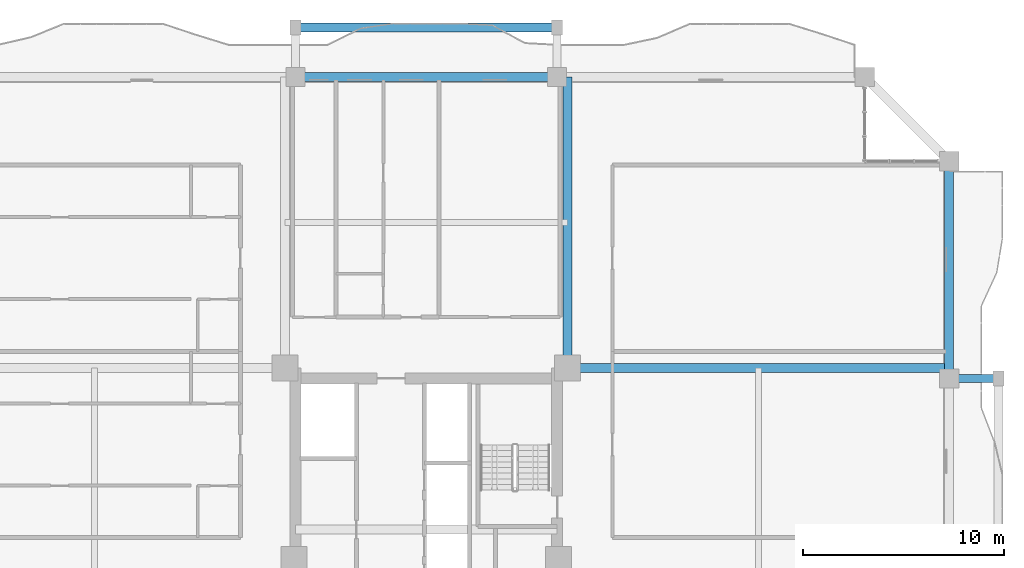
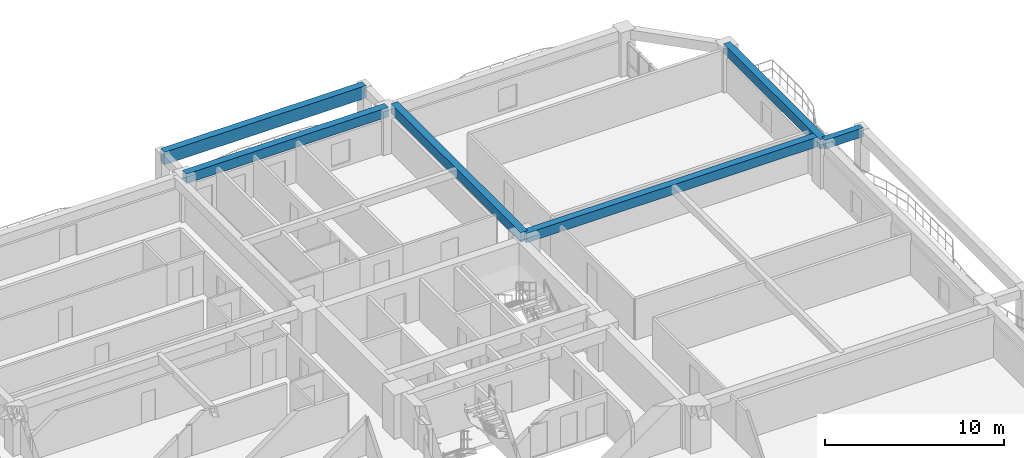
# One storey, part 9 of 22: 6 beams.
"""IFC4 building model written with IfcOpenShell, lengths in metres."""

from ifc_helpers import new_model, si_unit, direction, frame, origin, origin_2d, place, context, subcontext, project, spatial, rectangle, extrude, source, transform, mapped, material, material_profile, profile_set, type_object, element, save


model = new_model("IFC4")

# Units and contexts
model_context = context("Model", 3, precision=1e-05, world=origin(), true_north=direction((0.0, 1.0)))
body_context = subcontext(model_context, "Body", "Model", "MODEL_VIEW")
ifc_project = project(units=[si_unit("LENGTHUNIT", "METRE"), si_unit("AREAUNIT", "SQUARE_METRE"), si_unit("VOLUMEUNIT", "CUBIC_METRE"), si_unit("PLANEANGLEUNIT", "RADIAN"), si_unit("MASSUNIT", "GRAM", prefix="KILO")], contexts=[model_context])

# Site, building, storey
site_placement = place(None, origin())
site = spatial("IfcSite", under=ifc_project, at=site_placement, CompositionType="ELEMENT")
building_placement = place(site_placement, origin())
building = spatial("IfcBuilding", under=site, at=building_placement, Name="Saelheon Loggia Tower", CompositionType="ELEMENT")
storey_placement = place(building_placement, frame((0.0, 0.0, 135.75)))
storey = spatial("IfcBuildingStorey", under=building, at=storey_placement, Name="L43", CompositionType="ELEMENT", Elevation=135.75)

# Beams
ifc_material_1 = material(Name="Precast Concrete C45/55", Category="concrete")
ifc_material_profile_1 = material_profile(ifc_material_1, rectangle(XDim=0.449951171875, YDim=0.85009765625, at=origin_2d()), Name="RC-450x850")
ifc_profile_set_1 = profile_set([ifc_material_profile_1], Name="Precast Concrete C45/55")
beam_type_1 = type_object("IfcBeamType", Name="Beam_LoggiaSpandrel_RC450x850", PredefinedType="SPANDREL", material=ifc_profile_set_1)
shared_shape_1 = source(origin(), body_context, "Body", "SweptSolid", [
    extrude(rectangle(XDim=0.449951171875, YDim=0.85009765625, at=origin_2d()), origin(), (0.0, 0.0, 1.0), 13.0),
])
beam_1_placement = place(storey_placement, frame((31.5, 53.449951171875, 2.574951171875), z_axis=(1.0, 0.0, 0.0), x_axis=(0.0, 1.0, 0.0)))
element("IfcBeam", 1, at=beam_1_placement, inside=storey, type_object=beam_type_1, Name="L43 Loggia Spandrel Beam N", PredefinedType="SPANDREL", context=body_context, shape_type="MappedRepresentation", body=[
    mapped(shared_shape_1, transform((0.0, 0.0, 0.0), scale=1.0)),
])
ifc_material_profile_2 = material_profile(ifc_material_1, rectangle(XDim=0.39990234375, YDim=0.60009765625, at=origin_2d()), Name="RC-400x600")
ifc_profile_set_2 = profile_set([ifc_material_profile_2], Name="Precast Concrete C45/55")
beam_type_2 = type_object("IfcBeamType", Name="Beam_LoggiaTie_RC400x600", PredefinedType="BEAM", material=ifc_profile_set_2)
shared_shape_2 = source(origin(), body_context, "Body", "SweptSolid", [
    extrude(rectangle(XDim=0.39990234375, YDim=0.60009765625, at=origin_2d()), origin(), (0.0, 0.0, 1.0), 2.449951171875),
])
beam_2_placement = place(storey_placement, frame((64.0, 36.0, 2.699951171875), z_axis=(1.0, 0.0, 0.0), x_axis=(0.0, 1.0, 0.0)))
element("IfcBeam", 2, at=beam_2_placement, inside=storey, type_object=beam_type_2, Name="L43 Loggia Frame Tie Beam LP-E2", PredefinedType="BEAM", context=body_context, shape_type="MappedRepresentation", body=[
    mapped(shared_shape_2, transform((0.0, 0.0, 0.0), scale=1.0)),
])
ifc_material_2 = material(Name="Concrete C40/50", Category="concrete")
ifc_material_profile_3 = material_profile(ifc_material_2, rectangle(XDim=0.449951171875, YDim=0.64990234375, at=origin_2d()), Name="RC-450x650")
ifc_profile_set_3 = profile_set([ifc_material_profile_3], Name="Concrete C40/50")
beam_type_3 = type_object("IfcBeamType", Name="Beam_PerimTower_RC450x650", PredefinedType="BEAM", material=ifc_profile_set_3)
shared_shape_3 = source(origin(), body_context, "Body", "SweptSolid", [
    extrude(rectangle(XDim=0.449951171875, YDim=0.64990234375, at=origin_2d()), origin(), (0.0, 0.0, 1.0), 13.0),
])
beam_3_placement = place(storey_placement, frame((44.5, 51.0, 2.675048828125), z_axis=(-1.0, 0.0, 0.0), x_axis=(0.0, -1.0, 0.0)))
element("IfcBeam", 3, at=beam_3_placement, inside=storey, type_object=beam_type_3, Name="L43 Perimeter Frame Girder 10", PredefinedType="BEAM", context=body_context, shape_type="MappedRepresentation", body=[
    mapped(shared_shape_3, transform((0.0, 0.0, 0.0), scale=1.0)),
])
shared_shape_4 = source(origin(), body_context, "Body", "SweptSolid", [
    extrude(rectangle(XDim=0.449951171875, YDim=0.64990234375, at=origin_2d()), origin(), (0.0, 0.0, 1.0), 10.800048828125),
])
beam_4_placement = place(storey_placement, frame((64.0, 36.0, 2.675048828125), z_axis=(0.0, 1.0, 0.0), x_axis=(-1.0, 0.0, 0.0)))
element("IfcBeam", 4, at=beam_4_placement, inside=storey, type_object=beam_type_3, Name="L43 Perimeter Frame Girder 07", PredefinedType="BEAM", context=body_context, shape_type="MappedRepresentation", body=[
    mapped(shared_shape_4, transform((0.0, 0.0, 0.0), scale=1.0)),
])
ifc_material_profile_4 = material_profile(ifc_material_2, rectangle(XDim=0.449951171875, YDim=0.64990234375, at=origin_2d()), Name="RC-450x650")
ifc_profile_set_4 = profile_set([ifc_material_profile_4], Name="Concrete C40/50")
beam_type_4 = type_object("IfcBeamType", Name="Beam_TowerGirder_RC450x650", PredefinedType="BEAM", material=ifc_profile_set_4)
shared_shape_5 = source(origin(), body_context, "Body", "SweptSolid", [
    extrude(rectangle(XDim=0.449951171875, YDim=0.64990234375, at=origin_2d()), origin(), (0.0, 0.0, 1.0), 14.47998046875),
])
beam_5_placement = place(storey_placement, frame((45.02001953125, 36.52001953125, 2.675048828125), z_axis=(0.0, 1.0, 0.0), x_axis=(-1.0, 0.0, 0.0)))
element("IfcBeam", 5, at=beam_5_placement, inside=storey, type_object=beam_type_4, Name="L43 Radial Floor Girder RAD-NE-N", PredefinedType="BEAM", context=body_context, shape_type="MappedRepresentation", body=[
    mapped(shared_shape_5, transform((0.0, 0.0, 0.0), scale=1.0)),
])
shared_shape_6 = source(origin(), body_context, "Body", "SweptSolid", [
    extrude(rectangle(XDim=0.449951171875, YDim=0.64990234375, at=origin_2d()), origin(), (0.0, 0.0, 1.0), 18.97998046875),
])
beam_6_placement = place(storey_placement, frame((45.02001953125, 36.52001953125, 2.675048828125), z_axis=(1.0, 0.0, 0.0), x_axis=(0.0, 1.0, 0.0)))
element("IfcBeam", 6, at=beam_6_placement, inside=storey, type_object=beam_type_4, Name="L43 Radial Floor Girder RAD-NE-E", PredefinedType="BEAM", context=body_context, shape_type="MappedRepresentation", body=[
    mapped(shared_shape_6, transform((0.0, 0.0, 0.0), scale=1.0)),
])

save(model, "model.ifc")
